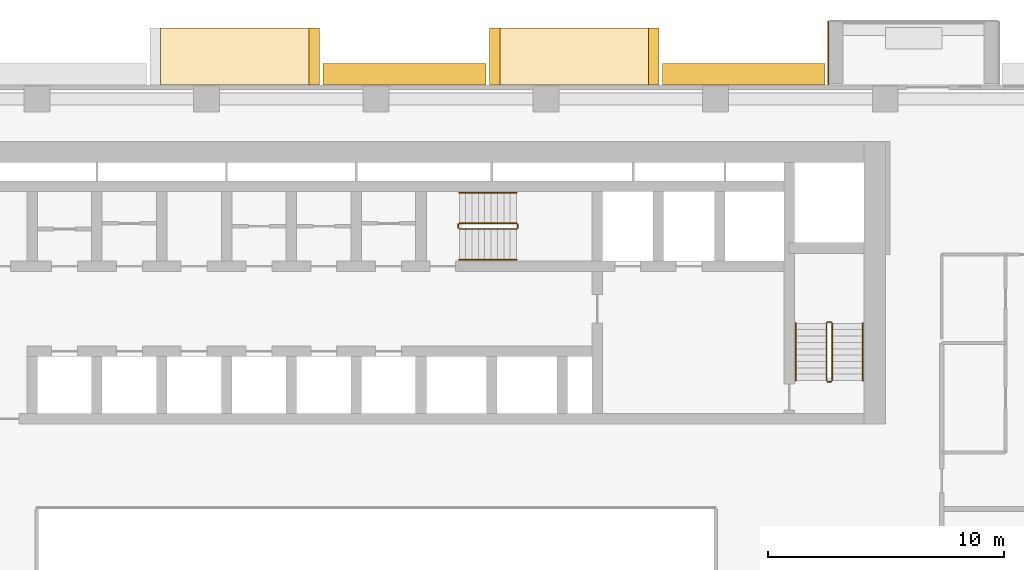
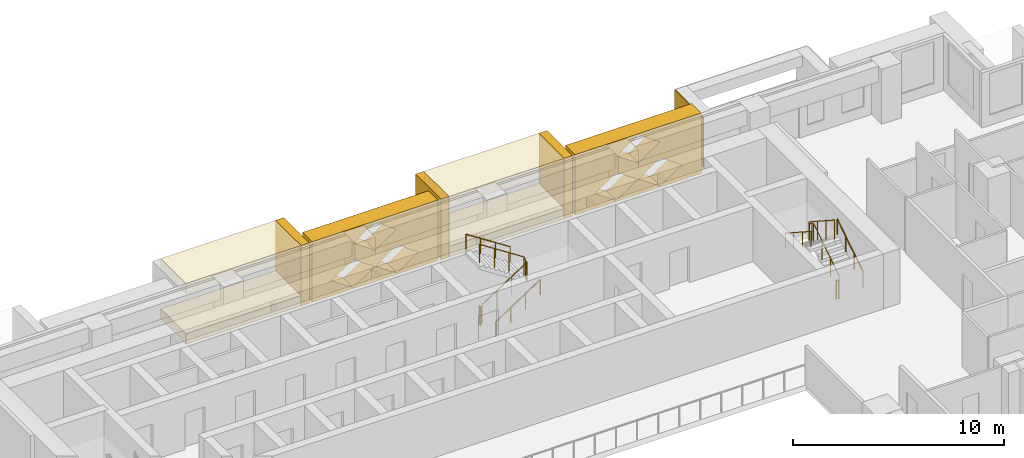
# One storey, part 15 of 16: 10 coverings, 8 railings.
"""IFC4 building model written with IfcOpenShell, lengths in metres."""

from ifc_helpers import new_model, si_unit, direction, frame, origin, origin_2d, place, context, subcontext, project, spatial, polyline, circle, outline, extrude, material, layer, layer_set, type_object, element, save


model = new_model("IFC4")

# Units and contexts
model_context = context("Model", 3, precision=1e-05, world=origin(), true_north=direction((0.0, 1.0)))
body_context = subcontext(model_context, "Body", "Model", "MODEL_VIEW")
ifc_project = project(units=[si_unit("LENGTHUNIT", "METRE"), si_unit("AREAUNIT", "SQUARE_METRE"), si_unit("VOLUMEUNIT", "CUBIC_METRE"), si_unit("PLANEANGLEUNIT", "RADIAN"), si_unit("MASSUNIT", "GRAM", prefix="KILO")], contexts=[model_context])

# Site, building, storey
site_placement = place(None, origin())
site = spatial("IfcSite", under=ifc_project, at=site_placement, CompositionType="ELEMENT")
building_placement = place(site_placement, origin())
building = spatial("IfcBuilding", under=site, at=building_placement, Name="Saffron Iwan Residences", CompositionType="ELEMENT")
storey_placement = place(building_placement, frame((0.0, 0.0, 48.0)))
storey = spatial("IfcBuildingStorey", under=building, at=storey_placement, Name="L11", CompositionType="ELEMENT", Elevation=48.0)

# Coverings
ifc_material_1 = material(Name="Precast concrete C40/50 white painted", Category="concrete")
ifc_layer = layer(ifc_material_1, 0.050048828125)
ifc_layer_set = layer_set([ifc_layer], Name="Precast concrete C40/50 white painted")
covering_type_1 = type_object("IfcCoveringType", Name="FRAME SKIN PRECAST WHITE 50", PredefinedType="CLADDING", material=ifc_layer_set)
covering_1_placement = place(storey_placement, origin())
element("IfcCovering", 1, at=covering_1_placement, inside=storey, type_object=covering_type_1, Name="Frame skin fin L11 F5-0b", PredefinedType="CLADDING", context=body_context, shape_type="SweptSolid", body=[
    extrude(outline(polyline([(69.60009765625, 83.10009765625), (69.550048828125, 83.10009765625), (69.550048828125, 80.39990234375), (69.60009765625, 80.39990234375), (69.60009765625, 83.10009765625)])), origin(), (0.0, 0.0, 1.0), 2.85009765625),
])
ifc_material_2 = material(Name="Precast concrete C40/50", Category="concrete")
covering_type_2 = type_object("IfcCoveringType", Name="OUTER SKIN LATTICE SCREEN", PredefinedType="CLADDING", material=ifc_material_2)
for number, where, z_axis, x_axis, name in (
    (2, (69.449951171875, 80.39990234375, -0.320068359375), (0.0, 1.0, 0.0), (-1.0, 0.0, 0.0), "OUTER SKIN lattice screen L11 F5.1"),
    (3, (55.050048828125, 80.39990234375, -0.320068359375), (0.0, 1.0, 0.0), (-1.0, 0.0, 0.0), "OUTER SKIN lattice screen L11 F5.2"),
):
    element("IfcCovering", number, at=place(storey_placement, frame(where, z_axis=z_axis, x_axis=x_axis)), inside=storey, type_object=covering_type_2, Name=name, PredefinedType="CLADDING", context=body_context, shape_type="SweptSolid", body=[
        extrude(outline(polyline([(0.0, 0.0), (6.89990234375, 0.0), (6.89990234375, 3.5), (0.0, 3.5), (0.0, 0.0)]), holes=[polyline([(1.070068359375, 0.875), (2.25, 0.06005859375), (3.429931640625, 0.875), (2.25, 1.68994140625), (1.070068359375, 0.875)]), polyline([(3.469970703125, 0.875), (4.64990234375, 0.06005859375), (5.830078125, 0.875), (4.64990234375, 1.68994140625), (3.469970703125, 0.875)]), polyline([(2.27001953125, 2.625), (3.449951171875, 1.81005859375), (4.6298828125, 2.625), (3.449951171875, 3.43994140625), (2.27001953125, 2.625)])]), origin(), (0.0, 0.0, 1.0), 0.900146484375),
    ])

# Railings
ifc_material_3 = material(Name="Steel S355", Category="steel")
railing_type_1 = type_object("IfcRailingType", Name="Stair guard 1100", PredefinedType="GUARDRAIL", material=ifc_material_3)
railing_1_placement = place(storey_placement, frame((53.925048828125, 74.27490234375, 0.175048828125)))
element("IfcRailing", 4, at=railing_1_placement, inside=storey, type_object=railing_type_1, Name="L11 ST-C stair guard 1", PredefinedType="GUARDRAIL", context=body_context, shape_type="SweptSolid", body=[
    extrude(circle(Radius=0.02392578125, at=origin_2d()), frame((0.0, 0.0, 1.076171875), z_axis=(0.839153699163, 0.0, 0.543894354798), x_axis=(0.0, 1.0, 0.0)), (0.0, 0.0, 1.0), 2.895751953125),
    extrude(circle(Radius=0.02392578125, at=origin_2d()), frame((2.429931640625, 0.0, 2.65087890625), z_axis=(0.707106781187, 0.707106781187, 0.0), x_axis=(-0.707106781187, 0.707106781187, 0.0)), (0.0, 0.0, 1.0), 0.07080078125),
    extrude(circle(Radius=0.02392578125, at=origin_2d()), frame((2.47998046875, 0.050048828125, 2.65087890625), z_axis=(0.0, 1.0, 0.0), x_axis=(-1.0, 0.0, 0.0)), (0.0, 0.0, 1.0), 0.150146484375),
    extrude(circle(Radius=0.02392578125, at=origin_2d()), frame((2.47998046875, 0.2001953125, 2.65087890625), z_axis=(-0.265155923931, 0.263862480399, 0.927399011991), x_axis=(-0.705375805398, -0.708833529934, 0.0)), (0.0, 0.0, 1.0), 0.188720703125),
    extrude(circle(Radius=0.02392578125, at=origin_2d()), frame((2.429931640625, 0.25, 2.826171875), z_axis=(-0.839153699163, 0.0, 0.543894354798), x_axis=(0.0, -1.0, 0.0)), (0.0, 0.0, 1.0), 2.895751953125),
    extrude(circle(Radius=0.02099609375, at=origin_2d()), origin(), (0.0, 0.0, 1.0), 1.052001953125),
    extrude(circle(Radius=0.02099609375, at=origin_2d()), frame((0.81005859375, 0.0, 0.52490234375)), (0.0, 0.0, 1.0), 1.052001953125),
    extrude(circle(Radius=0.02099609375, at=origin_2d()), frame((1.619873046875, 0.0, 1.050048828125)), (0.0, 0.0, 1.0), 1.052001953125),
    extrude(circle(Radius=0.02099609375, at=origin_2d()), frame((2.429931640625, 0.0, 1.574951171875)), (0.0, 0.0, 1.0), 1.052001953125),
    extrude(circle(Radius=0.02099609375, at=origin_2d()), frame((2.47998046875, 0.050048828125, 1.574951171875)), (0.0, 0.0, 1.0), 1.052001953125),
    extrude(circle(Radius=0.02099609375, at=origin_2d()), frame((2.47998046875, 0.2001953125, 1.574951171875)), (0.0, 0.0, 1.0), 1.052001953125),
    extrude(circle(Radius=0.02099609375, at=origin_2d()), frame((2.429931640625, 0.25, 1.75)), (0.0, 0.0, 1.0), 1.052001953125),
    extrude(circle(Radius=0.02099609375, at=origin_2d()), frame((1.619873046875, 0.25, 2.27490234375)), (0.0, 0.0, 1.0), 1.052001953125),
    extrude(circle(Radius=0.02099609375, at=origin_2d()), frame((0.81005859375, 0.25, 2.800048828125)), (0.0, 0.0, 1.0), 1.052001953125),
    extrude(circle(Radius=0.02099609375, at=origin_2d()), frame((0.0, 0.25, 3.324951171875)), (0.0, 0.0, 1.0), 1.052001953125),
])
railing_2_placement = place(storey_placement, frame((53.875, 74.324951171875, 0.0)))
element("IfcRailing", 5, at=railing_2_placement, inside=storey, type_object=railing_type_1, Name="L11 ST-C stair guard 2", PredefinedType="GUARDRAIL", context=body_context, shape_type="SweptSolid", body=[
    extrude(circle(Radius=0.02392578125, at=origin_2d()), frame((0.0, 0.0, 1.076171875), z_axis=(0.0, 1.0, 0.0), x_axis=(-1.0, 0.0, 0.0)), (0.0, 0.0, 1.0), 0.150146484375),
    extrude(circle(Radius=0.02099609375, at=origin_2d()), origin(), (0.0, 0.0, 1.0), 1.052001953125),
    extrude(circle(Radius=0.02099609375, at=origin_2d()), frame((0.0, 0.150146484375, 0.0)), (0.0, 0.0, 1.0), 1.052001953125),
])
railing_3_placement = place(storey_placement, frame((69.75, 67.85009765625, 0.175048828125)))
element("IfcRailing", 6, at=railing_3_placement, inside=storey, type_object=railing_type_1, Name="L11 ST-E stair guard 1", PredefinedType="GUARDRAIL", context=body_context, shape_type="SweptSolid", body=[
    extrude(circle(Radius=0.02392578125, at=origin_2d()), frame((0.0, 0.0, 1.076171875), z_axis=(0.0, 0.839153699163, 0.543894354798), x_axis=(-1.0, 0.0, 0.0)), (0.0, 0.0, 1.0), 2.895751953125),
    extrude(circle(Radius=0.02392578125, at=origin_2d()), frame((0.0, 2.429931640625, 2.65087890625), z_axis=(-0.707106781187, 0.707106781187, 0.0), x_axis=(-0.707106781187, -0.707106781187, 0.0)), (0.0, 0.0, 1.0), 0.07080078125),
    extrude(circle(Radius=0.02392578125, at=origin_2d()), frame((-0.050048828125, 2.47998046875, 2.65087890625), z_axis=(-1.0, 0.0, 0.0), x_axis=(0.0, -1.0, 0.0)), (0.0, 0.0, 1.0), 0.14990234375),
    extrude(circle(Radius=0.02392578125, at=origin_2d()), frame((-0.199951171875, 2.47998046875, 2.65087890625), z_axis=(-0.265065253269, -0.265065253269, 0.927081885822), x_axis=(0.707106781187, -0.707106781187, 0.0)), (0.0, 0.0, 1.0), 0.188720703125),
    extrude(circle(Radius=0.02392578125, at=origin_2d()), frame((-0.25, 2.429931640625, 2.826171875), z_axis=(0.0, -0.839153699163, 0.543894354798), x_axis=(1.0, 0.0, 0.0)), (0.0, 0.0, 1.0), 2.895751953125),
    extrude(circle(Radius=0.02099609375, at=origin_2d()), origin(), (0.0, 0.0, 1.0), 1.052001953125),
    extrude(circle(Radius=0.02099609375, at=origin_2d()), frame((0.0, 0.81005859375, 0.52490234375)), (0.0, 0.0, 1.0), 1.052001953125),
    extrude(circle(Radius=0.02099609375, at=origin_2d()), frame((0.0, 1.619873046875, 1.050048828125)), (0.0, 0.0, 1.0), 1.052001953125),
    extrude(circle(Radius=0.02099609375, at=origin_2d()), frame((0.0, 2.429931640625, 1.574951171875)), (0.0, 0.0, 1.0), 1.052001953125),
    extrude(circle(Radius=0.02099609375, at=origin_2d()), frame((-0.050048828125, 2.47998046875, 1.574951171875)), (0.0, 0.0, 1.0), 1.052001953125),
    extrude(circle(Radius=0.02099609375, at=origin_2d()), frame((-0.199951171875, 2.47998046875, 1.574951171875)), (0.0, 0.0, 1.0), 1.052001953125),
    extrude(circle(Radius=0.02099609375, at=origin_2d()), frame((-0.25, 2.429931640625, 1.75)), (0.0, 0.0, 1.0), 1.052001953125),
    extrude(circle(Radius=0.02099609375, at=origin_2d()), frame((-0.25, 1.619873046875, 2.27490234375)), (0.0, 0.0, 1.0), 1.052001953125),
    extrude(circle(Radius=0.02099609375, at=origin_2d()), frame((-0.25, 0.81005859375, 2.800048828125)), (0.0, 0.0, 1.0), 1.052001953125),
    extrude(circle(Radius=0.02099609375, at=origin_2d()), frame((-0.25, 0.0, 3.324951171875)), (0.0, 0.0, 1.0), 1.052001953125),
])
railing_4_placement = place(storey_placement, frame((69.699951171875, 67.800048828125, 0.0)))
element("IfcRailing", 7, at=railing_4_placement, inside=storey, type_object=railing_type_1, Name="L11 ST-E stair guard 2", PredefinedType="GUARDRAIL", context=body_context, shape_type="SweptSolid", body=[
    extrude(circle(Radius=0.02392578125, at=origin_2d()), frame((0.0, 0.0, 1.076171875), z_axis=(-1.0, 0.0, 0.0), x_axis=(0.0, -1.0, 0.0)), (0.0, 0.0, 1.0), 0.14990234375),
    extrude(circle(Radius=0.02099609375, at=origin_2d()), origin(), (0.0, 0.0, 1.0), 1.052001953125),
    extrude(circle(Radius=0.02099609375, at=origin_2d()), frame((-0.14990234375, 0.0, 0.0)), (0.0, 0.0, 1.0), 1.052001953125),
])
ifc_material_4 = material(Name="Stainless steel 316", Category="steel")
railing_type_2 = type_object("IfcRailingType", Name="Stair handrail 900", PredefinedType="HANDRAIL", material=ifc_material_4)
railing_5_placement = place(storey_placement, frame((53.925048828125, 72.97509765625, 0.175048828125)))
element("IfcRailing", 8, at=railing_5_placement, inside=storey, type_object=railing_type_2, Name="L11 ST-C stair handrail 1", PredefinedType="HANDRAIL", context=body_context, shape_type="SweptSolid", body=[
    extrude(circle(Radius=0.02392578125, at=origin_2d()), frame((0.0, 0.0, 0.8759765625), z_axis=(0.839153699163, 0.0, 0.543894354798), x_axis=(0.0, 1.0, 0.0)), (0.0, 0.0, 1.0), 2.895751953125),
    extrude(circle(Radius=0.02099609375, at=origin_2d()), origin(), (0.0, 0.0, 1.0), 0.851806640625),
    extrude(circle(Radius=0.02099609375, at=origin_2d()), frame((0.81005859375, 0.0, 0.52490234375)), (0.0, 0.0, 1.0), 0.851806640625),
    extrude(circle(Radius=0.02099609375, at=origin_2d()), frame((1.619873046875, 0.0, 1.050048828125)), (0.0, 0.0, 1.0), 0.851806640625),
    extrude(circle(Radius=0.02099609375, at=origin_2d()), frame((2.429931640625, 0.0, 1.574951171875)), (0.0, 0.0, 1.0), 0.851806640625),
])
railing_6_placement = place(storey_placement, frame((56.35498046875, 75.824951171875, 1.925048828125)))
element("IfcRailing", 9, at=railing_6_placement, inside=storey, type_object=railing_type_2, Name="L11 ST-C stair handrail 2", PredefinedType="HANDRAIL", context=body_context, shape_type="SweptSolid", body=[
    extrude(circle(Radius=0.02392578125, at=origin_2d()), frame((0.0, 0.0, 0.8759765625), z_axis=(-0.839153699163, 0.0, 0.543894354798), x_axis=(0.0, -1.0, 0.0)), (0.0, 0.0, 1.0), 2.895751953125),
    extrude(circle(Radius=0.02099609375, at=origin_2d()), origin(), (0.0, 0.0, 1.0), 0.851806640625),
    extrude(circle(Radius=0.02099609375, at=origin_2d()), frame((-0.81005859375, 0.0, 0.52490234375)), (0.0, 0.0, 1.0), 0.851806640625),
    extrude(circle(Radius=0.02099609375, at=origin_2d()), frame((-1.619873046875, 0.0, 1.050048828125)), (0.0, 0.0, 1.0), 0.851806640625),
    extrude(circle(Radius=0.02099609375, at=origin_2d()), frame((-2.429931640625, 0.0, 1.574951171875)), (0.0, 0.0, 1.0), 0.851806640625),
])
railing_7_placement = place(storey_placement, frame((71.050048828125, 67.85009765625, 0.175048828125)))
element("IfcRailing", 10, at=railing_7_placement, inside=storey, type_object=railing_type_2, Name="L11 ST-E stair handrail 1", PredefinedType="HANDRAIL", context=body_context, shape_type="SweptSolid", body=[
    extrude(circle(Radius=0.02392578125, at=origin_2d()), frame((0.0, 0.0, 0.8759765625), z_axis=(0.0, 0.839153699163, 0.543894354798), x_axis=(-1.0, 0.0, 0.0)), (0.0, 0.0, 1.0), 2.895751953125),
    extrude(circle(Radius=0.02099609375, at=origin_2d()), origin(), (0.0, 0.0, 1.0), 0.851806640625),
    extrude(circle(Radius=0.02099609375, at=origin_2d()), frame((0.0, 0.81005859375, 0.52490234375)), (0.0, 0.0, 1.0), 0.851806640625),
    extrude(circle(Radius=0.02099609375, at=origin_2d()), frame((0.0, 1.619873046875, 1.050048828125)), (0.0, 0.0, 1.0), 0.851806640625),
    extrude(circle(Radius=0.02099609375, at=origin_2d()), frame((0.0, 2.429931640625, 1.574951171875)), (0.0, 0.0, 1.0), 0.851806640625),
])
railing_8_placement = place(storey_placement, frame((68.199951171875, 70.280029296875, 1.925048828125)))
element("IfcRailing", 11, at=railing_8_placement, inside=storey, type_object=railing_type_2, Name="L11 ST-E stair handrail 2", PredefinedType="HANDRAIL", context=body_context, shape_type="SweptSolid", body=[
    extrude(circle(Radius=0.02392578125, at=origin_2d()), frame((0.0, 0.0, 0.8759765625), z_axis=(0.0, -0.839153699163, 0.543894354798), x_axis=(1.0, 0.0, 0.0)), (0.0, 0.0, 1.0), 2.895751953125),
    extrude(circle(Radius=0.02099609375, at=origin_2d()), origin(), (0.0, 0.0, 1.0), 0.851806640625),
    extrude(circle(Radius=0.02099609375, at=origin_2d()), frame((0.0, -0.81005859375, 0.52490234375)), (0.0, 0.0, 1.0), 0.851806640625),
    extrude(circle(Radius=0.02099609375, at=origin_2d()), frame((0.0, -1.619873046875, 1.050048828125)), (0.0, 0.0, 1.0), 0.851806640625),
    extrude(circle(Radius=0.02099609375, at=origin_2d()), frame((0.0, -2.429931640625, 1.574951171875)), (0.0, 0.0, 1.0), 0.851806640625),
])

# Coverings
covering_type_3 = type_object("IfcCoveringType", Name="WHITE SUN FRAME PRECAST", PredefinedType="CLADDING", material=ifc_material_1)
for number, where, z_axis, x_axis, name in (
    (12, (62.39990234375, 80.39990234375, -0.320068359375), (0.0, 1.0, 0.0), (-1.0, 0.0, 0.0), "Sun frame L11 F5 20.4a"),
    (13, (55.64990234375, 80.39990234375, -0.320068359375), (0.0, 1.0, 0.0), (-1.0, 0.0, 0.0), "Sun frame L11 F5 20.4b"),
):
    element("IfcCovering", number, at=place(storey_placement, frame(where, z_axis=z_axis, x_axis=x_axis)), inside=storey, type_object=covering_type_3, Name=name, PredefinedType="CLADDING", context=body_context, shape_type="SweptSolid", body=[
        extrude(outline(polyline([(0.0, 0.0), (0.449951171875, 0.0), (0.449951171875, 3.5), (0.0, 3.5), (0.0, 0.0)])), origin(), (0.0, 0.0, 1.0), 2.400146484375),
    ])
for number, where, z_axis, x_axis, name in (
    (14, (61.949951171875, 80.39990234375, 2.580078125), (0.0, 1.0, 0.0), (-1.0, 0.0, 0.0), "Sun frame L11 F5 20.4h"),
    (15, (61.949951171875, 80.39990234375, -0.320068359375), (0.0, 1.0, 0.0), (-1.0, 0.0, 0.0), "Sun frame L11 F5 20.4s"),
):
    element("IfcCovering", number, at=place(storey_placement, frame(where, z_axis=z_axis, x_axis=x_axis)), inside=storey, type_object=covering_type_3, Name=name, PredefinedType="CLADDING", context=body_context, shape_type="SweptSolid", body=[
        extrude(outline(polyline([(0.0, 0.0), (6.300048828125, 0.0), (6.300048828125, 0.60009765625), (0.0, 0.60009765625), (0.0, 0.0)])), origin(), (0.0, 0.0, 1.0), 2.400146484375),
    ])
covering_2_placement = place(storey_placement, frame((48.0, 80.39990234375, -0.320068359375), z_axis=(0.0, 1.0, 0.0), x_axis=(-1.0, 0.0, 0.0)))
element("IfcCovering", 16, at=covering_2_placement, inside=storey, type_object=covering_type_3, Name="Sun frame L11 F5 34.8a", PredefinedType="CLADDING", context=body_context, shape_type="SweptSolid", body=[
    extrude(outline(polyline([(0.0, 0.0), (0.449951171875, 0.0), (0.449951171875, 3.5), (0.0, 3.5), (0.0, 0.0)])), origin(), (0.0, 0.0, 1.0), 2.400146484375),
])
for number, where, z_axis, x_axis, name in (
    (17, (47.550048828125, 80.39990234375, 2.580078125), (0.0, 1.0, 0.0), (-1.0, 0.0, 0.0), "Sun frame L11 F5 34.8h"),
    (18, (47.550048828125, 80.39990234375, -0.320068359375), (0.0, 1.0, 0.0), (-1.0, 0.0, 0.0), "Sun frame L11 F5 34.8s"),
):
    element("IfcCovering", number, at=place(storey_placement, frame(where, z_axis=z_axis, x_axis=x_axis)), inside=storey, type_object=covering_type_3, Name=name, PredefinedType="CLADDING", context=body_context, shape_type="SweptSolid", body=[
        extrude(outline(polyline([(0.0, 0.0), (6.300048828125, 0.0), (6.300048828125, 0.60009765625), (0.0, 0.60009765625), (0.0, 0.0)])), origin(), (0.0, 0.0, 1.0), 2.400146484375),
    ])

save(model, "model.ifc")
